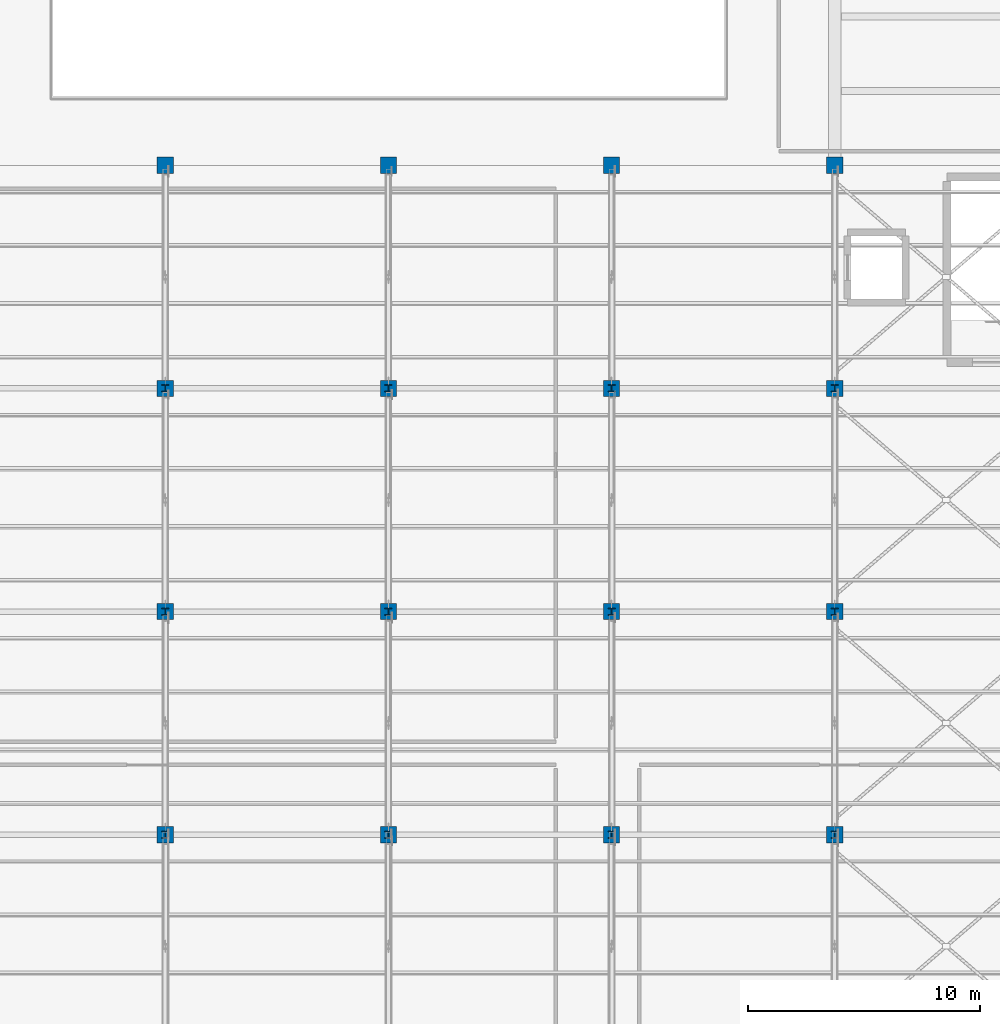
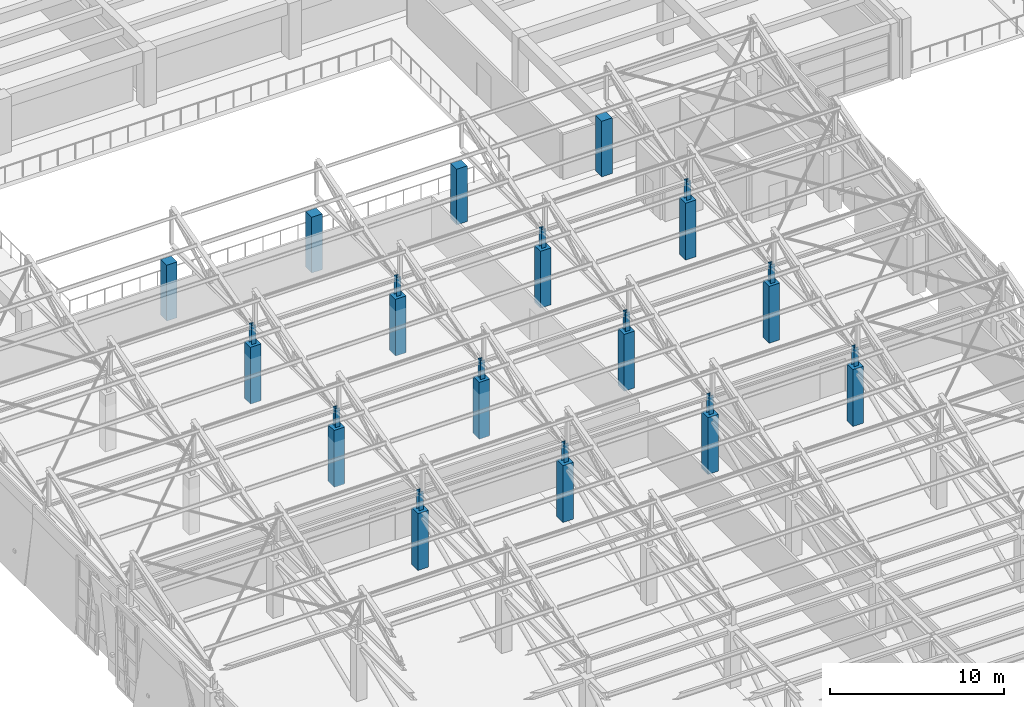
# One storey, part 5 of 71: 28 columns.
"""IFC4 building model written with IfcOpenShell, lengths in metres."""

from ifc_helpers import new_model, si_unit, direction, frame, origin, origin_2d, place, context, subcontext, project, spatial, rectangle, i_section, extrude, material, material_profile, profile_set, type_object, element, save


model = new_model("IFC4")

# Units and contexts
model_context = context("Model", 3, precision=1e-05, world=origin(), true_north=direction((0.0, 1.0)))
body_context = subcontext(model_context, "Body", "Model", "MODEL_VIEW")
ifc_project = project(units=[si_unit("LENGTHUNIT", "METRE"), si_unit("AREAUNIT", "SQUARE_METRE"), si_unit("VOLUMEUNIT", "CUBIC_METRE"), si_unit("PLANEANGLEUNIT", "RADIAN"), si_unit("MASSUNIT", "GRAM", prefix="KILO")], contexts=[model_context])

# Site, building, storey
site_placement = place(None, origin())
site = spatial("IfcSite", under=ifc_project, at=site_placement, CompositionType="ELEMENT")
building_placement = place(site_placement, origin())
building = spatial("IfcBuilding", under=site, at=building_placement, Name="Bempovik Park Faculty of Sciences", CompositionType="ELEMENT")
storey_placement = place(building_placement, frame((0.0, 0.0, 14.10009765625)))
storey = spatial("IfcBuildingStorey", under=building, at=storey_placement, Name="L03", CompositionType="ELEMENT", Elevation=14.10009765625)

# Columns
ifc_material_1 = material(Name="Steel S355", Category="steel")
ifc_material_profile_1 = material_profile(ifc_material_1, i_section(OverallWidth=0.300048828125, OverallDepth=0.300048828125, WebThickness=0.010986328125, FlangeThickness=0.01904296875, at=origin_2d()), Name="HEB 300")
ifc_profile_set_1 = profile_set([ifc_material_profile_1], Name="Steel S355")
column_type_1 = type_object("IfcColumnType", Name="C-14 HEB 300", PredefinedType="COLUMN", material=ifc_profile_set_1)
for number, where, z_axis, x_axis, name in (
    (1, (79.199951171875, 39.0, 3.98583984375), (0.0, 0.0, 1.0), (1.0, 0.0, 0.0), "Sawtooth Clerestory Steel Column V1 (79.2,39.0)"),
    (2, (79.199951171875, 48.60009765625, 3.98583984375), (0.0, 0.0, 1.0), (1.0, 0.0, 0.0), "Sawtooth Clerestory Steel Column V1 (79.2,48.6)"),
    (3, (79.199951171875, 58.199951171875, 3.98583984375), (0.0, 0.0, 1.0), (1.0, 0.0, 0.0), "Sawtooth Clerestory Steel Column V1 (79.2,58.2)"),
    (4, (88.800048828125, 39.0, 3.98583984375), (0.0, 0.0, 1.0), (1.0, 0.0, 0.0), "Sawtooth Clerestory Steel Column V1 (88.8,39.0)"),
    (5, (88.800048828125, 48.60009765625, 3.98583984375), (0.0, 0.0, 1.0), (1.0, 0.0, 0.0), "Sawtooth Clerestory Steel Column V1 (88.8,48.6)"),
    (6, (88.800048828125, 58.199951171875, 3.98583984375), (0.0, 0.0, 1.0), (1.0, 0.0, 0.0), "Sawtooth Clerestory Steel Column V1 (88.8,58.2)"),
    (7, (98.39990234375, 39.0, 3.98583984375), (0.0, 0.0, 1.0), (1.0, 0.0, 0.0), "Sawtooth Clerestory Steel Column V1 (98.4,39.0)"),
    (8, (98.39990234375, 48.60009765625, 3.98583984375), (0.0, 0.0, 1.0), (1.0, 0.0, 0.0), "Sawtooth Clerestory Steel Column V1 (98.4,48.6)"),
    (9, (98.39990234375, 58.199951171875, 3.98583984375), (0.0, 0.0, 1.0), (1.0, 0.0, 0.0), "Sawtooth Clerestory Steel Column V1 (98.4,58.2)"),
    (10, (108.0, 39.0, 3.98583984375), (0.0, 0.0, 1.0), (1.0, 0.0, 0.0), "Sawtooth Clerestory Steel Column V1 (108.0,39.0)"),
    (11, (108.0, 48.60009765625, 3.98583984375), (0.0, 0.0, 1.0), (1.0, 0.0, 0.0), "Sawtooth Clerestory Steel Column V1 (108.0,48.6)"),
    (12, (108.0, 58.199951171875, 3.98583984375), (0.0, 0.0, 1.0), (1.0, 0.0, 0.0), "Sawtooth Clerestory Steel Column V1 (108.0,58.2)"),
):
    element("IfcColumn", number, at=place(storey_placement, frame(where, z_axis=z_axis, x_axis=x_axis)), inside=storey, type_object=column_type_1, Name=name, PredefinedType="COLUMN", context=body_context, shape_type="SweptSolid", body=[
        extrude(i_section(OverallWidth=0.300048828125, OverallDepth=0.300048828125, WebThickness=0.010986328125, FlangeThickness=0.01904296875, at=origin_2d()), origin(), (0.0, 0.0, 1.0), 1.31396484375),
    ])
ifc_material_2 = material(Name="Concrete C40/50", Category="concrete")
ifc_material_profile_2 = material_profile(ifc_material_2, rectangle(XDim=0.699951171875, YDim=0.699951171875, at=origin_2d()), Name="RC 700x700")
ifc_profile_set_2 = profile_set([ifc_material_profile_2], Name="Concrete C40/50")
column_type_2 = type_object("IfcColumnType", Name="C-34 RC 700x700", PredefinedType="COLUMN", material=ifc_profile_set_2)
for number, where, z_axis, x_axis, name in (
    (13, (79.199951171875, 39.0, 0.0), (0.0, 0.0, 1.0), (1.0, 0.0, 0.0), "L03 Structural Column (79.2,39.0)"),
    (14, (79.199951171875, 48.60009765625, 0.0), (0.0, 0.0, 1.0), (1.0, 0.0, 0.0), "L03 Structural Column (79.2,48.6)"),
    (15, (79.199951171875, 58.199951171875, 0.0), (0.0, 0.0, 1.0), (1.0, 0.0, 0.0), "L03 Structural Column (79.2,58.2)"),
):
    element("IfcColumn", number, at=place(storey_placement, frame(where, z_axis=z_axis, x_axis=x_axis)), inside=storey, type_object=column_type_2, Name=name, PredefinedType="COLUMN", context=body_context, shape_type="SweptSolid", body=[
        extrude(rectangle(XDim=0.699951171875, YDim=0.699951171875, at=origin_2d()), origin(), (0.0, 0.0, 1.0), 3.97998046875),
    ])
column_1_placement = place(storey_placement, frame((79.199951171875, 67.800048828125, 0.0), z_axis=(0.0, 0.0, 1.0), x_axis=(1.0, 0.0, 0.0)))
element("IfcColumn", 16, at=column_1_placement, inside=storey, type_object=column_type_2, Name="L03 Structural Column (79.2,67.8)", PredefinedType="COLUMN", context=body_context, shape_type="SweptSolid", body=[
    extrude(rectangle(XDim=0.699951171875, YDim=0.699951171875, at=origin_2d()), origin(), (0.0, 0.0, 1.0), 3.89990234375),
])
for number, where, z_axis, x_axis, name in (
    (17, (88.800048828125, 39.0, 0.0), (0.0, 0.0, 1.0), (1.0, 0.0, 0.0), "L03 Structural Column (88.8,39.0)"),
    (18, (88.800048828125, 48.60009765625, 0.0), (0.0, 0.0, 1.0), (1.0, 0.0, 0.0), "L03 Structural Column (88.8,48.6)"),
    (19, (88.800048828125, 58.199951171875, 0.0), (0.0, 0.0, 1.0), (1.0, 0.0, 0.0), "L03 Structural Column (88.8,58.2)"),
):
    element("IfcColumn", number, at=place(storey_placement, frame(where, z_axis=z_axis, x_axis=x_axis)), inside=storey, type_object=column_type_2, Name=name, PredefinedType="COLUMN", context=body_context, shape_type="SweptSolid", body=[
        extrude(rectangle(XDim=0.699951171875, YDim=0.699951171875, at=origin_2d()), origin(), (0.0, 0.0, 1.0), 3.97998046875),
    ])
column_2_placement = place(storey_placement, frame((88.800048828125, 67.800048828125, 0.0), z_axis=(0.0, 0.0, 1.0), x_axis=(1.0, 0.0, 0.0)))
element("IfcColumn", 20, at=column_2_placement, inside=storey, type_object=column_type_2, Name="L03 Structural Column (88.8,67.8)", PredefinedType="COLUMN", context=body_context, shape_type="SweptSolid", body=[
    extrude(rectangle(XDim=0.699951171875, YDim=0.699951171875, at=origin_2d()), origin(), (0.0, 0.0, 1.0), 3.89990234375),
])
for number, where, z_axis, x_axis, name in (
    (21, (98.39990234375, 39.0, 0.0), (0.0, 0.0, 1.0), (1.0, 0.0, 0.0), "L03 Structural Column (98.4,39.0)"),
    (22, (98.39990234375, 48.60009765625, 0.0), (0.0, 0.0, 1.0), (1.0, 0.0, 0.0), "L03 Structural Column (98.4,48.6)"),
    (23, (98.39990234375, 58.199951171875, 0.0), (0.0, 0.0, 1.0), (1.0, 0.0, 0.0), "L03 Structural Column (98.4,58.2)"),
):
    element("IfcColumn", number, at=place(storey_placement, frame(where, z_axis=z_axis, x_axis=x_axis)), inside=storey, type_object=column_type_2, Name=name, PredefinedType="COLUMN", context=body_context, shape_type="SweptSolid", body=[
        extrude(rectangle(XDim=0.699951171875, YDim=0.699951171875, at=origin_2d()), origin(), (0.0, 0.0, 1.0), 3.97998046875),
    ])
column_3_placement = place(storey_placement, frame((98.39990234375, 67.800048828125, 0.0), z_axis=(0.0, 0.0, 1.0), x_axis=(1.0, 0.0, 0.0)))
element("IfcColumn", 24, at=column_3_placement, inside=storey, type_object=column_type_2, Name="L03 Structural Column (98.4,67.8)", PredefinedType="COLUMN", context=body_context, shape_type="SweptSolid", body=[
    extrude(rectangle(XDim=0.699951171875, YDim=0.699951171875, at=origin_2d()), origin(), (0.0, 0.0, 1.0), 3.89990234375),
])
for number, where, z_axis, x_axis, name in (
    (25, (108.0, 39.0, 0.0), (0.0, 0.0, 1.0), (1.0, 0.0, 0.0), "L03 Structural Column (108.0,39.0)"),
    (26, (108.0, 48.60009765625, 0.0), (0.0, 0.0, 1.0), (1.0, 0.0, 0.0), "L03 Structural Column (108.0,48.6)"),
    (27, (108.0, 58.199951171875, 0.0), (0.0, 0.0, 1.0), (1.0, 0.0, 0.0), "L03 Structural Column (108.0,58.2)"),
):
    element("IfcColumn", number, at=place(storey_placement, frame(where, z_axis=z_axis, x_axis=x_axis)), inside=storey, type_object=column_type_2, Name=name, PredefinedType="COLUMN", context=body_context, shape_type="SweptSolid", body=[
        extrude(rectangle(XDim=0.699951171875, YDim=0.699951171875, at=origin_2d()), origin(), (0.0, 0.0, 1.0), 3.97998046875),
    ])
column_4_placement = place(storey_placement, frame((108.0, 67.800048828125, 0.0), z_axis=(0.0, 0.0, 1.0), x_axis=(1.0, 0.0, 0.0)))
element("IfcColumn", 28, at=column_4_placement, inside=storey, type_object=column_type_2, Name="L03 Structural Column (108.0,67.8)", PredefinedType="COLUMN", context=body_context, shape_type="SweptSolid", body=[
    extrude(rectangle(XDim=0.699951171875, YDim=0.699951171875, at=origin_2d()), origin(), (0.0, 0.0, 1.0), 3.89990234375),
])

save(model, "model.ifc")
